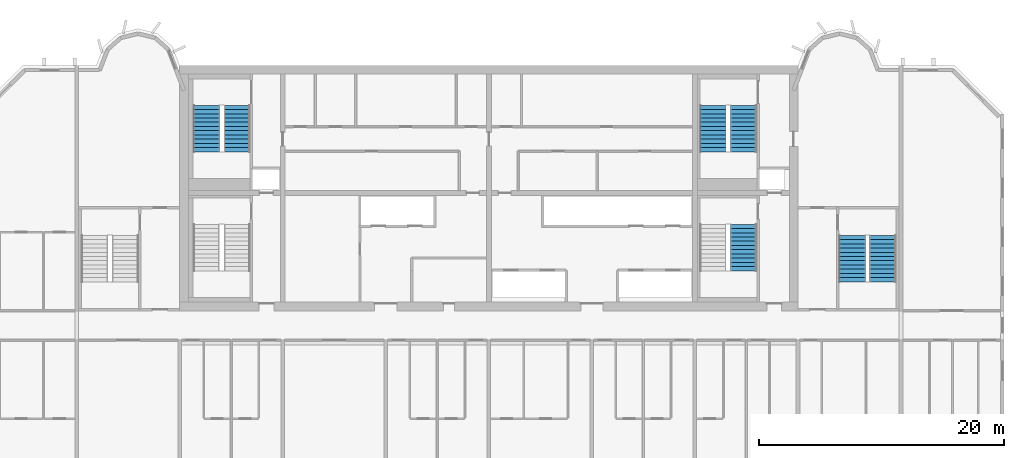
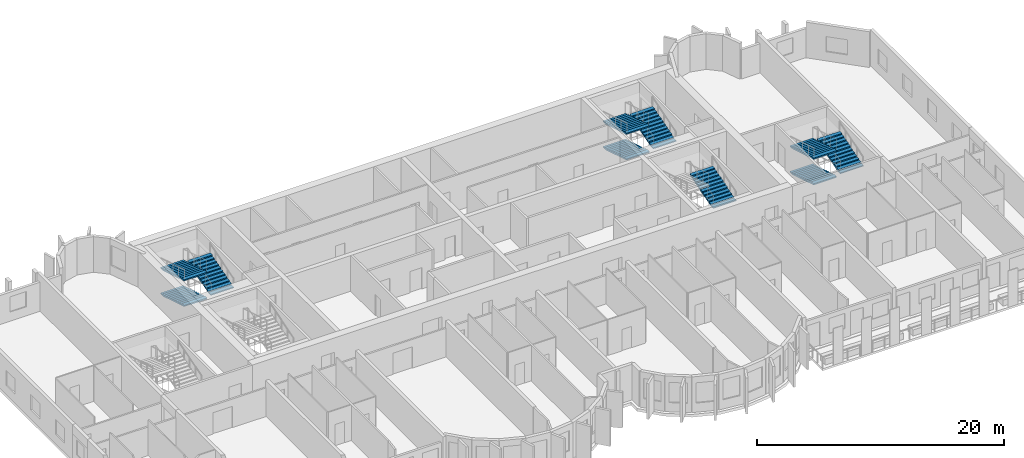
# One storey, part 10 of 13: 10 stair flights, 4 elements without a shape of their own.
"""IFC4 building model written with IfcOpenShell, lengths in metres."""

from ifc_helpers import new_model, si_unit, direction, frame, origin, place, context, subcontext, project, spatial, polyline, outline, extrude, source, transform, mapped, material, type_object, element, aggregate, save


model = new_model("IFC4")

# Units and contexts
model_context = context("Model", 3, precision=1e-05, world=origin(), true_north=direction((0.0, 1.0)))
body_context = subcontext(model_context, "Body", "Model", "MODEL_VIEW")
ifc_project = project(units=[si_unit("LENGTHUNIT", "METRE"), si_unit("AREAUNIT", "SQUARE_METRE"), si_unit("VOLUMEUNIT", "CUBIC_METRE"), si_unit("PLANEANGLEUNIT", "RADIAN"), si_unit("MASSUNIT", "GRAM", prefix="KILO")], contexts=[model_context])

# Site, building, storey
site_placement = place(None, origin())
site = spatial("IfcSite", under=ifc_project, at=site_placement, CompositionType="ELEMENT")
building_placement = place(site_placement, origin())
building = spatial("IfcBuilding", under=site, at=building_placement, Name="Vanashikhar Sky Hotel", CompositionType="ELEMENT")
storey_placement = place(building_placement, frame((0.0, 0.0, 151.60009765625)))
storey = spatial("IfcBuildingStorey", under=building, at=storey_placement, Name="L36", CompositionType="ELEMENT", Elevation=151.60009765625)

# Stair, stair flight
ifc_material = material(Name="Concrete M40", Category="concrete")
stair_type = type_object("IfcStairType", Name="Exit stair 2150", PredefinedType="DOUBLE_RETURN_STAIR", material=ifc_material)
stair_1_placement = place(storey_placement, origin())
stair_1 = element("IfcStair", 1, at=stair_1_placement, inside=storey, type_object=stair_type, Name="L36 Exit stair 2", PredefinedType="DOUBLE_RETURN_STAIR")
stair_flight_type = type_object("IfcStairFlightType", Name="Stair flight 2150", PredefinedType="STRAIGHT", material=ifc_material)
shared_shape = source(origin(), body_context, "Body", "SweptSolid", [
    extrude(outline(polyline([(0.0, 0.0), (0.0, 0.10546875), (0.345458984375, 0.10546875), (0.345458984375, 0.211181640625), (0.69091796875, 0.211181640625), (0.69091796875, 0.316650390625), (1.036376953125, 0.316650390625), (1.036376953125, 0.422119140625), (1.3818359375, 0.422119140625), (1.3818359375, 0.52783203125), (1.727294921875, 0.52783203125), (1.727294921875, 0.63330078125), (2.07275390625, 0.63330078125), (2.07275390625, 0.73876953125), (2.418212890625, 0.73876953125), (2.418212890625, 0.844482421875), (2.763671875, 0.844482421875), (2.763671875, 0.949951171875), (3.109130859375, 0.949951171875), (3.109130859375, 1.0556640625), (3.45458984375, 1.0556640625), (3.45458984375, 1.1611328125), (3.800048828125, 1.1611328125), (3.800048828125, 1.2666015625), (3.800048828125, 1.035400390625), (0.4111328125, 0.0), (0.0, 0.0)])), frame((0.0, 1.074951171875, 0.0), z_axis=(0.0, -1.0, 0.0), x_axis=(1.0, 0.0, 0.0)), (0.0, 0.0, 1.0), 2.14990234375),
])
stair_flight_1_placement = place(storey_placement, frame((71.175048828125, 25.25, 1.2666015625), z_axis=(0.0, 0.0, 1.0), x_axis=(0.0, 1.0, 0.0)))
stair_flight_1 = element("IfcStairFlight", 2, at=stair_flight_1_placement, type_object=stair_flight_type, Name="ST-C2 flight 2", NumberOfRisers=12, NumberOfTreads=11, PredefinedType="STRAIGHT", RiserHeight=0.105555556, TreadLength=0.345454545, context=body_context, shape_type="MappedRepresentation", body=[
    mapped(shared_shape, transform((0.0, 0.0, 0.0), scale=1.0)),
])
aggregate(stair_1, [stair_flight_1])

# Stair, stair flights
stair_2_placement = place(storey_placement, origin())
stair_2 = element("IfcStair", 3, at=stair_2_placement, inside=storey, type_object=stair_type, Name="L36 Exit stair 4", PredefinedType="DOUBLE_RETURN_STAIR")
stair_flight_2_placement = place(storey_placement, frame((80.02490234375, 28.14990234375, 0.0), z_axis=(0.0, 0.0, 1.0), x_axis=(0.0, -1.0, 0.0)))
stair_flight_2 = element("IfcStairFlight", 4, at=stair_flight_2_placement, type_object=stair_flight_type, Name="ST-E flight 1", NumberOfRisers=12, NumberOfTreads=11, PredefinedType="STRAIGHT", RiserHeight=0.105555556, TreadLength=0.345454545, context=body_context, shape_type="MappedRepresentation", body=[
    mapped(shared_shape, transform((0.0, 0.0, 0.0), scale=1.0)),
])
stair_flight_3_placement = place(storey_placement, frame((82.52490234375, 24.35009765625, 1.2666015625), z_axis=(0.0, 0.0, 1.0), x_axis=(0.0, 1.0, 0.0)))
stair_flight_3 = element("IfcStairFlight", 5, at=stair_flight_3_placement, type_object=stair_flight_type, Name="ST-E flight 2", NumberOfRisers=12, NumberOfTreads=11, PredefinedType="STRAIGHT", RiserHeight=0.105555556, TreadLength=0.345454545, context=body_context, shape_type="MappedRepresentation", body=[
    mapped(shared_shape, transform((0.0, 0.0, 0.0), scale=1.0)),
])
stair_flight_4_placement = place(storey_placement, frame((80.02490234375, 28.14990234375, 2.533203125), z_axis=(0.0, 0.0, 1.0), x_axis=(0.0, -1.0, 0.0)))
stair_flight_4 = element("IfcStairFlight", 6, at=stair_flight_4_placement, type_object=stair_flight_type, Name="ST-E flight 3", NumberOfRisers=12, NumberOfTreads=11, PredefinedType="STRAIGHT", RiserHeight=0.105555556, TreadLength=0.345454545, context=body_context, shape_type="MappedRepresentation", body=[
    mapped(shared_shape, transform((0.0, 0.0, 0.0), scale=1.0)),
])
aggregate(stair_2, [stair_flight_2, stair_flight_3, stair_flight_4])

stair_3_placement = place(storey_placement, origin())
stair_3 = element("IfcStair", 7, at=stair_3_placement, inside=storey, type_object=stair_type, Name="L36 Exit stair 5", PredefinedType="DOUBLE_RETURN_STAIR")
stair_flight_5_placement = place(storey_placement, frame((27.375, 38.75, 0.0), z_axis=(0.0, 0.0, 1.0), x_axis=(0.0, -1.0, 0.0)))
stair_flight_5 = element("IfcStairFlight", 8, at=stair_flight_5_placement, type_object=stair_flight_type, Name="ST-C3 flight 1", NumberOfRisers=12, NumberOfTreads=11, PredefinedType="STRAIGHT", RiserHeight=0.105555556, TreadLength=0.345454545, context=body_context, shape_type="MappedRepresentation", body=[
    mapped(shared_shape, transform((0.0, 0.0, 0.0), scale=1.0)),
])
stair_flight_6_placement = place(storey_placement, frame((29.875, 34.949951171875, 1.2666015625), z_axis=(0.0, 0.0, 1.0), x_axis=(0.0, 1.0, 0.0)))
stair_flight_6 = element("IfcStairFlight", 9, at=stair_flight_6_placement, type_object=stair_flight_type, Name="ST-C3 flight 2", NumberOfRisers=12, NumberOfTreads=11, PredefinedType="STRAIGHT", RiserHeight=0.105555556, TreadLength=0.345454545, context=body_context, shape_type="MappedRepresentation", body=[
    mapped(shared_shape, transform((0.0, 0.0, 0.0), scale=1.0)),
])
stair_flight_7_placement = place(storey_placement, frame((27.375, 38.75, 2.533203125), z_axis=(0.0, 0.0, 1.0), x_axis=(0.0, -1.0, 0.0)))
stair_flight_7 = element("IfcStairFlight", 10, at=stair_flight_7_placement, type_object=stair_flight_type, Name="ST-C3 flight 3", NumberOfRisers=12, NumberOfTreads=11, PredefinedType="STRAIGHT", RiserHeight=0.105555556, TreadLength=0.345454545, context=body_context, shape_type="MappedRepresentation", body=[
    mapped(shared_shape, transform((0.0, 0.0, 0.0), scale=1.0)),
])
aggregate(stair_3, [stair_flight_5, stair_flight_6, stair_flight_7])

stair_4_placement = place(storey_placement, origin())
stair_4 = element("IfcStair", 11, at=stair_4_placement, inside=storey, type_object=stair_type, Name="L36 Exit stair 6", PredefinedType="DOUBLE_RETURN_STAIR")
stair_flight_8_placement = place(storey_placement, frame((68.675048828125, 38.75, 0.0), z_axis=(0.0, 0.0, 1.0), x_axis=(0.0, -1.0, 0.0)))
stair_flight_8 = element("IfcStairFlight", 12, at=stair_flight_8_placement, type_object=stair_flight_type, Name="ST-C4 flight 1", NumberOfRisers=12, NumberOfTreads=11, PredefinedType="STRAIGHT", RiserHeight=0.105555556, TreadLength=0.345454545, context=body_context, shape_type="MappedRepresentation", body=[
    mapped(shared_shape, transform((0.0, 0.0, 0.0), scale=1.0)),
])
stair_flight_9_placement = place(storey_placement, frame((71.175048828125, 34.949951171875, 1.2666015625), z_axis=(0.0, 0.0, 1.0), x_axis=(0.0, 1.0, 0.0)))
stair_flight_9 = element("IfcStairFlight", 13, at=stair_flight_9_placement, type_object=stair_flight_type, Name="ST-C4 flight 2", NumberOfRisers=12, NumberOfTreads=11, PredefinedType="STRAIGHT", RiserHeight=0.105555556, TreadLength=0.345454545, context=body_context, shape_type="MappedRepresentation", body=[
    mapped(shared_shape, transform((0.0, 0.0, 0.0), scale=1.0)),
])
stair_flight_10_placement = place(storey_placement, frame((68.675048828125, 38.75, 2.533203125), z_axis=(0.0, 0.0, 1.0), x_axis=(0.0, -1.0, 0.0)))
stair_flight_10 = element("IfcStairFlight", 14, at=stair_flight_10_placement, type_object=stair_flight_type, Name="ST-C4 flight 3", NumberOfRisers=12, NumberOfTreads=11, PredefinedType="STRAIGHT", RiserHeight=0.105555556, TreadLength=0.345454545, context=body_context, shape_type="MappedRepresentation", body=[
    mapped(shared_shape, transform((0.0, 0.0, 0.0), scale=1.0)),
])
aggregate(stair_4, [stair_flight_8, stair_flight_9, stair_flight_10])

save(model, "model.ifc")
